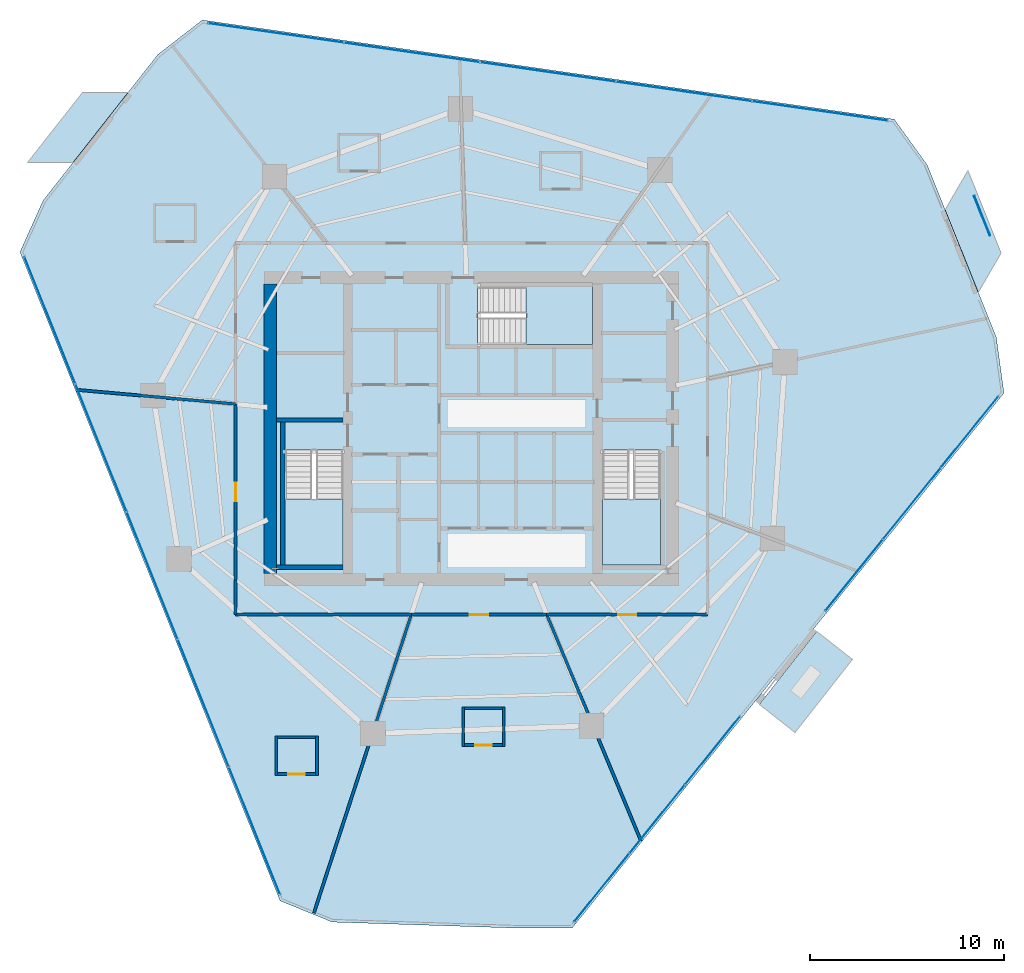
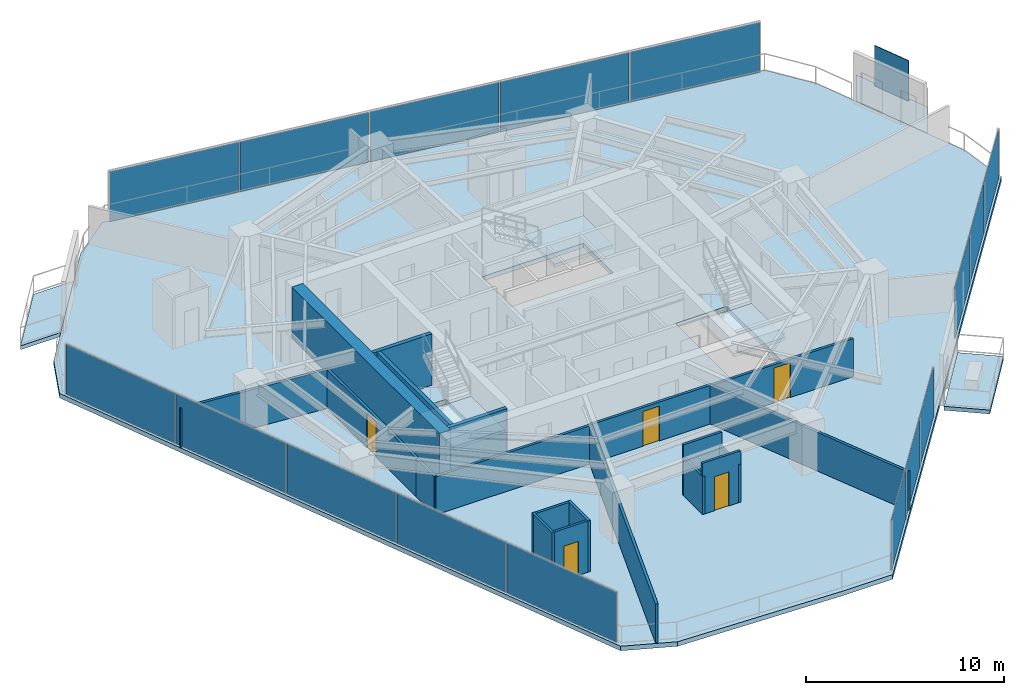
# One storey, part 25 of 32: 20 walls, 17 plates, 7 slabs, 5 doors, 5 openings, 7 elements without a shape of their own.
"""IFC4 building model written with IfcOpenShell, lengths in metres."""

from ifc_helpers import new_model, si_unit, direction, frame, frame_2d, origin, origin_2d, place, context, subcontext, project, spatial, polyline, rectangle, outline, extrude, material, layer, layer_set, type_object, element, fill, aggregate, save


model = new_model("IFC4")

# Units and contexts
model_context = context("Model", 3, precision=1e-05, world=origin(), true_north=direction((0.0, 1.0)))
body_context = subcontext(model_context, "Body", "Model", "MODEL_VIEW")
ifc_project = project(units=[si_unit("LENGTHUNIT", "METRE"), si_unit("AREAUNIT", "SQUARE_METRE"), si_unit("VOLUMEUNIT", "CUBIC_METRE"), si_unit("PLANEANGLEUNIT", "RADIAN"), si_unit("MASSUNIT", "GRAM", prefix="KILO")], contexts=[model_context])

# Site, building, storey
site_placement = place(None, origin())
site = spatial("IfcSite", under=ifc_project, at=site_placement, CompositionType="ELEMENT")
building_placement = place(site_placement, origin())
building = spatial("IfcBuilding", under=site, at=building_placement, Name="Qarnah Convention Tower", CompositionType="ELEMENT")
storey_placement = place(building_placement, frame((0.0, 0.0, 37.35009765625)))
storey = spatial("IfcBuildingStorey", under=building, at=storey_placement, Name="L08", CompositionType="ELEMENT", Elevation=37.35009765625)

# Curtain wall, plates
ifc_material_1 = material(Name="Tempered Low-E dark glass", Category="glass")
ifc_layer_1 = layer(ifc_material_1, 0.16796875)
ifc_layer_set_1 = layer_set([ifc_layer_1], Name="Tempered Low-E dark glass")
curtain_wall_type = type_object("IfcCurtainWallType", Name="CWS-01", PredefinedType="NOTDEFINED", material=ifc_layer_set_1)
curtain_wall_1_placement = place(storey_placement, origin())
curtain_wall_1 = element("IfcCurtainWall", 1, at=curtain_wall_1_placement, inside=storey, type_object=curtain_wall_type, Name="L08 unitised curtain wall CW-L08-F1", PredefinedType="NOTDEFINED")
ifc_layer_2 = layer(ifc_material_1, 0.028076171875)
ifc_layer_set_2 = layer_set([ifc_layer_2], Name="Tempered Low-E dark glass")
plate_type_1 = type_object("IfcPlateType", Name="PNL-T1", PredefinedType="CURTAIN_PANEL", material=ifc_layer_set_2)
plate_1_placement = place(storey_placement, frame((25.9765625, 5.62841796875, 0.0400390625), z_axis=(0.0, 0.0, 1.0), x_axis=(-0.372016711815, 0.92822603181, 0.0)))
plate_1 = element("IfcPlate", 2, at=plate_1_placement, type_object=plate_type_1, Name="CW-L08-F1 curtain panel 1.1", PredefinedType="CURTAIN_PANEL", context=body_context, shape_type="SweptSolid", body=[
    extrude(rectangle(XDim=7.0244140625, YDim=0.028076171875, at=origin_2d()), origin(), (0.0, 0.0, 1.0), 3.090087890625),
])
plate_2_placement = place(storey_placement, frame((23.33349609375, 12.222900390625, 0.0400390625), z_axis=(0.0, 0.0, 1.0), x_axis=(-0.372016711815, 0.92822603181, 0.0)))
plate_2 = element("IfcPlate", 3, at=plate_2_placement, type_object=plate_type_1, Name="CW-L08-F1 curtain panel 2.1", PredefinedType="CURTAIN_PANEL", context=body_context, shape_type="SweptSolid", body=[
    extrude(rectangle(XDim=7.0244140625, YDim=0.028076171875, at=origin_2d()), origin(), (0.0, 0.0, 1.0), 3.090087890625),
])
plate_3_placement = place(storey_placement, frame((20.6904296875, 18.8173828125, 0.0400390625), z_axis=(0.0, 0.0, 1.0), x_axis=(-0.372016711815, 0.92822603181, 0.0)))
plate_3 = element("IfcPlate", 4, at=plate_3_placement, type_object=plate_type_1, Name="CW-L08-F1 curtain panel 3.1", PredefinedType="CURTAIN_PANEL", context=body_context, shape_type="SweptSolid", body=[
    extrude(rectangle(XDim=7.0244140625, YDim=0.028076171875, at=origin_2d()), origin(), (0.0, 0.0, 1.0), 3.090087890625),
])
plate_4_placement = place(storey_placement, frame((18.047607421875, 25.412109375, 0.0400390625), z_axis=(0.0, 0.0, 1.0), x_axis=(-0.372016711815, 0.92822603181, 0.0)))
plate_4 = element("IfcPlate", 5, at=plate_4_placement, type_object=plate_type_1, Name="CW-L08-F1 curtain panel 4.1", PredefinedType="CURTAIN_PANEL", context=body_context, shape_type="SweptSolid", body=[
    extrude(rectangle(XDim=7.0244140625, YDim=0.028076171875, at=origin_2d()), origin(), (0.0, 0.0, 1.0), 3.090087890625),
])
plate_5_placement = place(storey_placement, frame((15.404541015625, 32.006591796875, 0.0400390625), z_axis=(0.0, 0.0, 1.0), x_axis=(-0.372016711815, 0.92822603181, 0.0)))
plate_5 = element("IfcPlate", 6, at=plate_5_placement, type_object=plate_type_1, Name="CW-L08-F1 curtain panel 5.1", PredefinedType="CURTAIN_PANEL", context=body_context, shape_type="SweptSolid", body=[
    extrude(rectangle(XDim=7.0244140625, YDim=0.028076171875, at=origin_2d()), origin(), (0.0, 0.0, 1.0), 3.090087890625),
])
aggregate(curtain_wall_1, [plate_1, plate_2, plate_3, plate_4, plate_5])

curtain_wall_2_placement = place(storey_placement, origin())
curtain_wall_2 = element("IfcCurtainWall", 7, at=curtain_wall_2_placement, inside=storey, type_object=curtain_wall_type, Name="L08 unitised curtain wall CW-L08-F2", PredefinedType="NOTDEFINED")
plate_6_placement = place(storey_placement, frame((27.0771484375, 46.86083984375, 0.0400390625), z_axis=(0.0, 0.0, 1.0), x_axis=(0.989875035809, -0.141941584753, 0.0)))
plate_6 = element("IfcPlate", 8, at=plate_6_placement, type_object=plate_type_1, Name="CW-L08-F2 curtain panel 1.1", PredefinedType="CURTAIN_PANEL", context=body_context, shape_type="SweptSolid", body=[
    extrude(rectangle(XDim=7.0244140625, YDim=0.028076171875, at=origin_2d()), origin(), (0.0, 0.0, 1.0), 3.090087890625),
])
plate_7_placement = place(storey_placement, frame((34.109619140625, 45.852294921875, 0.0400390625), z_axis=(0.0, 0.0, 1.0), x_axis=(0.989875035809, -0.141941584753, 0.0)))
plate_7 = element("IfcPlate", 9, at=plate_7_placement, type_object=plate_type_1, Name="CW-L08-F2 curtain panel 2.1", PredefinedType="CURTAIN_PANEL", context=body_context, shape_type="SweptSolid", body=[
    extrude(rectangle(XDim=7.0244140625, YDim=0.028076171875, at=origin_2d()), origin(), (0.0, 0.0, 1.0), 3.090087890625),
])
plate_8_placement = place(storey_placement, frame((41.14208984375, 44.843994140625, 0.0400390625), z_axis=(0.0, 0.0, 1.0), x_axis=(0.989875035809, -0.141941584753, 0.0)))
plate_8 = element("IfcPlate", 10, at=plate_8_placement, type_object=plate_type_1, Name="CW-L08-F2 curtain panel 3.1", PredefinedType="CURTAIN_PANEL", context=body_context, shape_type="SweptSolid", body=[
    extrude(rectangle(XDim=7.0244140625, YDim=0.028076171875, at=origin_2d()), origin(), (0.0, 0.0, 1.0), 3.090087890625),
])
plate_9_placement = place(storey_placement, frame((48.17431640625, 43.835693359375, 0.0400390625), z_axis=(0.0, 0.0, 1.0), x_axis=(0.989875035809, -0.141941584753, 0.0)))
plate_9 = element("IfcPlate", 11, at=plate_9_placement, type_object=plate_type_1, Name="CW-L08-F2 curtain panel 4.1", PredefinedType="CURTAIN_PANEL", context=body_context, shape_type="SweptSolid", body=[
    extrude(rectangle(XDim=7.0244140625, YDim=0.028076171875, at=origin_2d()), origin(), (0.0, 0.0, 1.0), 3.090087890625),
])
plate_10_placement = place(storey_placement, frame((55.206787109375, 42.8271484375, 0.0400390625), z_axis=(0.0, 0.0, 1.0), x_axis=(0.989875035809, -0.141941584753, 0.0)))
plate_10 = element("IfcPlate", 12, at=plate_10_placement, type_object=plate_type_1, Name="CW-L08-F2 curtain panel 5.1", PredefinedType="CURTAIN_PANEL", context=body_context, shape_type="SweptSolid", body=[
    extrude(rectangle(XDim=7.0244140625, YDim=0.028076171875, at=origin_2d()), origin(), (0.0, 0.0, 1.0), 3.090087890625),
])
aggregate(curtain_wall_2, [plate_6, plate_7, plate_8, plate_9, plate_10])

curtain_wall_3_placement = place(storey_placement, origin())
curtain_wall_3 = element("IfcCurtainWall", 13, at=curtain_wall_3_placement, inside=storey, type_object=curtain_wall_type, Name="L08 unitised curtain wall CW-L08-F3", PredefinedType="NOTDEFINED")
plate_11_placement = place(storey_placement, frame((62.93359375, 26.23828125, 0.0400390625), z_axis=(0.0, 0.0, 1.0), x_axis=(-0.628142905709, -0.778097995119, 0.0)))
plate_11 = element("IfcPlate", 14, at=plate_11_placement, type_object=plate_type_1, Name="CW-L08-F3 curtain panel 1.1", PredefinedType="CURTAIN_PANEL", context=body_context, shape_type="SweptSolid", body=[
    extrude(rectangle(XDim=4.6748046875, YDim=0.028076171875, at=origin_2d()), origin(), (0.0, 0.0, 1.0), 3.090087890625),
])
plate_12_placement = place(storey_placement, frame((59.947021484375, 22.53857421875, 0.0400390625), z_axis=(0.0, 0.0, 1.0), x_axis=(-0.628142905709, -0.778097995119, 0.0)))
plate_12 = element("IfcPlate", 15, at=plate_12_placement, type_object=plate_type_1, Name="CW-L08-F3 curtain panel 2.1", PredefinedType="CURTAIN_PANEL", context=body_context, shape_type="SweptSolid", body=[
    extrude(rectangle(XDim=4.6748046875, YDim=0.028076171875, at=origin_2d()), origin(), (0.0, 0.0, 1.0), 3.090087890625),
])
plate_13_placement = place(storey_placement, frame((56.96044921875, 18.8388671875, 0.0400390625), z_axis=(0.0, 0.0, 1.0), x_axis=(-0.628142905709, -0.778097995119, 0.0)))
plate_13 = element("IfcPlate", 16, at=plate_13_placement, type_object=plate_type_1, Name="CW-L08-F3 curtain panel 3.1", PredefinedType="CURTAIN_PANEL", context=body_context, shape_type="SweptSolid", body=[
    extrude(rectangle(XDim=4.6748046875, YDim=0.028076171875, at=origin_2d()), origin(), (0.0, 0.0, 1.0), 3.090087890625),
])
aggregate(curtain_wall_3, [plate_11, plate_12, plate_13])

curtain_wall_4_placement = place(storey_placement, origin())
curtain_wall_4 = element("IfcCurtainWall", 17, at=curtain_wall_4_placement, inside=storey, type_object=curtain_wall_type, Name="L08 unitised curtain wall CW-L08-F4", PredefinedType="NOTDEFINED")
plate_14_placement = place(storey_placement, frame((49.646728515625, 9.77978515625, 0.0400390625), z_axis=(0.0, 0.0, 1.0), x_axis=(-0.62812100032, -0.77811567839, 0.0)))
plate_14 = element("IfcPlate", 18, at=plate_14_placement, type_object=plate_type_1, Name="CW-L08-F4 curtain panel 1.1", PredefinedType="CURTAIN_PANEL", context=body_context, shape_type="SweptSolid", body=[
    extrude(rectangle(XDim=4.480224609375, YDim=0.028076171875, at=origin_2d()), origin(), (0.0, 0.0, 1.0), 3.090087890625),
])
plate_15_placement = place(storey_placement, frame((46.782470703125, 6.2314453125, 0.0400390625), z_axis=(0.0, 0.0, 1.0), x_axis=(-0.62812100032, -0.77811567839, 0.0)))
plate_15 = element("IfcPlate", 19, at=plate_15_placement, type_object=plate_type_1, Name="CW-L08-F4 curtain panel 2.1", PredefinedType="CURTAIN_PANEL", context=body_context, shape_type="SweptSolid", body=[
    extrude(rectangle(XDim=4.480224609375, YDim=0.028076171875, at=origin_2d()), origin(), (0.0, 0.0, 1.0), 3.090087890625),
])
plate_16_placement = place(storey_placement, frame((43.918212890625, 2.68310546875, 0.0400390625), z_axis=(0.0, 0.0, 1.0), x_axis=(-0.62812100032, -0.77811567839, 0.0)))
plate_16 = element("IfcPlate", 20, at=plate_16_placement, type_object=plate_type_1, Name="CW-L08-F4 curtain panel 3.1", PredefinedType="CURTAIN_PANEL", context=body_context, shape_type="SweptSolid", body=[
    extrude(rectangle(XDim=4.480224609375, YDim=0.028076171875, at=origin_2d()), origin(), (0.0, 0.0, 1.0), 3.090087890625),
])
aggregate(curtain_wall_4, [plate_14, plate_15, plate_16])

# Plate
ifc_material_2 = material(Name="Black anodised aluminium", Category="aluminium")
ifc_layer_3 = layer(ifc_material_2, 0.044921875)
ifc_layer_set_3 = layer_set([ifc_layer_3], Name="Black anodised aluminium")
plate_type_2 = type_object("IfcPlateType", Name="SCR-BAL-18", PredefinedType="USERDEFINED", material=ifc_layer_set_3)
plate_17_placement = place(storey_placement, frame((63.5810546875, 37.405029296875, 0.0), z_axis=(0.0, 0.0, 1.0), x_axis=(0.371952767163, -0.928251657149, 0.0)))
element("IfcPlate", 21, at=plate_17_placement, inside=storey, type_object=plate_type_2, Name="L08 perforated desert solar screen BAL-L08-C1", ObjectType="SCREEN", PredefinedType="USERDEFINED", context=body_context, shape_type="SweptSolid", body=[
    extrude(rectangle(XDim=2.199951171875, YDim=0.044921875, at=origin_2d()), origin(), (0.0, 0.0, 1.0), 2.5),
])

# Slabs
ifc_material_3 = material(Name="Concrete C45/55", Category="concrete")
ifc_layer_4 = layer(ifc_material_3, 0.239990234375)
ifc_layer_set_4 = layer_set([ifc_layer_4], Name="Concrete C45/55")
slab_type_1 = type_object("IfcSlabType", Name="SLB-BAL-240", PredefinedType="USERDEFINED", material=ifc_layer_set_4)
slab_1_placement = place(storey_placement, frame((0.0, 0.0, -0.239990234375)))
element("IfcSlab", 22, at=slab_1_placement, inside=storey, type_object=slab_type_1, Name="L08 cantilevered balcony slab BAL-L08-C1", ObjectType="BALCONY", PredefinedType="USERDEFINED", context=body_context, shape_type="SweptSolid", body=[
    extrude(outline(polyline([(62.845947265625, 39.748046875), (64.556884765625, 35.47802734375), (63.3779296875, 33.448974609375), (61.6669921875, 37.718994140625), (62.845947265625, 39.748046875)])), origin(), (0.0, 0.0, 1.0), 0.239990234375),
])
slab_2_placement = place(storey_placement, frame((0.0, 0.0, -0.239990234375)))
element("IfcSlab", 23, at=slab_2_placement, inside=storey, type_object=slab_type_1, Name="L08 cantilevered balcony slab BAL-L08-C2", ObjectType="BALCONY", PredefinedType="USERDEFINED", context=body_context, shape_type="SweptSolid", body=[
    extrude(outline(polyline([(14.2509765625, 40.162109375), (17.093017578125, 43.779052734375), (19.43994140625, 43.77294921875), (16.597900390625, 40.156005859375), (14.2509765625, 40.162109375)])), origin(), (0.0, 0.0, 1.0), 0.239990234375),
])
slab_3_placement = place(storey_placement, frame((0.0, 0.0, -0.239990234375)))
element("IfcSlab", 24, at=slab_3_placement, inside=storey, type_object=slab_type_1, Name="L08 cantilevered balcony slab VN-L08", ObjectType="BALCONY", PredefinedType="USERDEFINED", context=body_context, shape_type="SweptSolid", body=[
    extrude(outline(polyline([(55.029052734375, 15.93505859375), (56.876953125, 14.48291015625), (53.910888671875, 10.708984375), (52.06396484375, 12.160888671875), (55.029052734375, 15.93505859375)])), origin(), (0.0, 0.0, 1.0), 0.239990234375),
])

# Stair, slab
ifc_material_4 = material(Name="Concrete C50/60", Category="concrete")
stair_type = type_object("IfcStairType", Name="STR-HTL", PredefinedType="HALF_TURN_STAIR", material=ifc_material_4)
stair_1_placement = place(storey_placement, origin())
stair_1 = element("IfcStair", 25, at=stair_1_placement, inside=storey, type_object=stair_type, Name="L08 Core exit stair ST-1", PredefinedType="HALF_TURN_STAIR")
ifc_layer_5 = layer(ifc_material_4, 0.199951171875)
ifc_layer_set_5 = layer_set([ifc_layer_5], Name="Concrete C50/60")
slab_type_2 = type_object("IfcSlabType", Name="SLB-LANDING-200", PredefinedType="LANDING", material=ifc_layer_set_5)
slab_4_placement = place(storey_placement, frame((0.0, 0.0, 1.52490234375)))
slab_4 = element("IfcSlab", 26, at=slab_4_placement, type_object=slab_type_2, Name="ST-1 landing 1", PredefinedType="LANDING", context=body_context, shape_type="SweptSolid", body=[
    extrude(outline(polyline([(27.550048828125, 22.780029296875), (27.550048828125, 19.35009765625), (30.550048828125, 19.35009765625), (30.550048828125, 22.780029296875), (27.550048828125, 22.780029296875)])), origin(), (0.0, 0.0, 1.0), 0.199951171875),
])
aggregate(stair_1, [slab_4])

stair_2_placement = place(storey_placement, origin())
stair_2 = element("IfcStair", 27, at=stair_2_placement, inside=storey, type_object=stair_type, Name="L08 Core exit stair ST-2", PredefinedType="HALF_TURN_STAIR")
slab_5_placement = place(storey_placement, frame((0.0, 0.0, 1.52490234375)))
slab_5 = element("IfcSlab", 28, at=slab_5_placement, type_object=slab_type_2, Name="ST-2 landing 1", PredefinedType="LANDING", context=body_context, shape_type="SweptSolid", body=[
    extrude(outline(polyline([(43.949951171875, 22.780029296875), (43.949951171875, 19.35009765625), (46.949951171875, 19.35009765625), (46.949951171875, 22.780029296875), (43.949951171875, 22.780029296875)])), origin(), (0.0, 0.0, 1.0), 0.199951171875),
])
aggregate(stair_2, [slab_5])

stair_3_placement = place(storey_placement, origin())
stair_3 = element("IfcStair", 29, at=stair_3_placement, inside=storey, type_object=stair_type, Name="L08 Core exit stair ST-3", PredefinedType="HALF_TURN_STAIR")
slab_6_placement = place(storey_placement, frame((0.0, 0.0, 1.52490234375)))
slab_6 = element("IfcSlab", 30, at=slab_6_placement, type_object=slab_type_2, Name="ST-3 landing 1", PredefinedType="LANDING", context=body_context, shape_type="SweptSolid", body=[
    extrude(outline(polyline([(40.02001953125, 30.75), (43.449951171875, 30.75), (43.449951171875, 33.75), (40.02001953125, 33.75), (40.02001953125, 30.75)])), origin(), (0.0, 0.0, 1.0), 0.199951171875),
])
aggregate(stair_3, [slab_6])

# Slab
ifc_layer_6 = layer(ifc_material_3, 0.280029296875)
ifc_layer_set_6 = layer_set([ifc_layer_6], Name="Concrete C45/55")
slab_type_3 = type_object("IfcSlabType", Name="SLB-TWR-280", PredefinedType="FLOOR", material=ifc_layer_set_6)
slab_7_placement = place(storey_placement, frame((0.0, 0.0, -0.280029296875)))
element("IfcSlab", 31, at=slab_7_placement, inside=storey, type_object=slab_type_3, Name="L08 structural floor slab", PredefinedType="FLOOR", context=body_context, shape_type="SweptSolid", body=[
    extrude(outline(polyline([(59.037109375, 42.39892578125), (23.281005859375, 47.52587890625), (20.97998046875, 45.739013671875), (15.052001953125, 38.195068359375), (13.860107421875, 35.5380859375), (27.298095703125, 2.008056640625), (29.9951171875, 0.909912109375), (39.492919921875, 0.60009765625), (42.39111328125, 0.60009765625), (64.708984375, 28.24609375), (64.31103515625, 31.132080078125), (60.741943359375, 40.0380859375), (59.037109375, 42.39892578125)]), holes=[polyline([(27.550048828125, 25.300048828125), (27.550048828125, 19.35009765625), (30.550048828125, 19.35009765625), (30.550048828125, 25.300048828125), (27.550048828125, 25.300048828125)]), polyline([(43.949951171875, 25.300048828125), (43.949951171875, 19.35009765625), (46.949951171875, 19.35009765625), (46.949951171875, 25.300048828125), (43.949951171875, 25.300048828125)]), polyline([(37.5, 30.75), (43.449951171875, 30.75), (43.449951171875, 33.75), (37.5, 33.75), (37.5, 30.75)])]), origin(), (0.0, 0.0, 1.0), 0.280029296875),
])

# Walls
ifc_material_5 = material(Name="Concrete C60/75", Category="concrete")
ifc_layer_7 = layer(ifc_material_5, 0.64990234375)
ifc_layer_set_7 = layer_set([ifc_layer_7], Name="Concrete C60/75")
wall_type_1 = type_object("IfcWallType", Name="WL-CORE-650", PredefinedType="SHEAR", material=ifc_layer_set_7)
wall_1_placement = place(storey_placement, frame((26.800048828125, 18.925048828125, 0.0), z_axis=(0.0, 0.0, 1.0), x_axis=(0.0, 1.0, 0.0)))
element("IfcWall", 32, at=wall_1_placement, inside=storey, type_object=wall_type_1, Name="L08 core west shear wall", PredefinedType="SHEAR", context=body_context, shape_type="SweptSolid", body=[
    extrude(rectangle(XDim=14.949951171875, YDim=0.64990234375, at=frame_2d((7.47509765625, 0.0))), origin(), (0.0, 0.0, 1.0), 3.169921875),
])
ifc_layer_8 = layer(ifc_material_5, 0.219970703125)
ifc_layer_set_8 = layer_set([ifc_layer_8], Name="Concrete C60/75")
wall_type_2 = type_object("IfcWallType", Name="WL-CORE-STAIR-220", PredefinedType="SHEAR", material=ifc_layer_set_8)
wall_2_placement = place(storey_placement, frame((27.125, 26.860107421875, 0.0), z_axis=(0.0, 0.0, 1.0), x_axis=(1.0, 0.0, 0.0)))
element("IfcWall", 33, at=wall_2_placement, inside=storey, type_object=wall_type_2, Name="L08 stair shaft shear wall SW-L08-ST1N", PredefinedType="SHEAR", context=body_context, shape_type="SweptSolid", body=[
    extrude(rectangle(XDim=3.425048828125, YDim=0.219970703125, at=frame_2d((1.71240234375, 0.0))), origin(), (0.0, 0.0, 1.0), 3.169921875),
])
wall_3_placement = place(storey_placement, frame((27.43994140625, 19.35009765625, 0.0), z_axis=(0.0, 0.0, 1.0), x_axis=(0.0, 1.0, 0.0)))
element("IfcWall", 34, at=wall_3_placement, inside=storey, type_object=wall_type_2, Name="L08 stair shaft shear wall SW-L08-ST1W", PredefinedType="SHEAR", context=body_context, shape_type="SweptSolid", body=[
    extrude(rectangle(XDim=7.39990234375, YDim=0.219970703125, at=frame_2d((3.699951171875, 0.0))), origin(), (0.0, 0.0, 1.0), 3.169921875),
])
wall_4_placement = place(storey_placement, frame((27.125, 19.239990234375, 0.0), z_axis=(0.0, 0.0, 1.0), x_axis=(1.0, 0.0, 0.0)))
element("IfcWall", 35, at=wall_4_placement, inside=storey, type_object=wall_type_2, Name="L08 stair shaft shear wall SW-L08-ST1S", PredefinedType="SHEAR", context=body_context, shape_type="SweptSolid", body=[
    extrude(rectangle(XDim=3.425048828125, YDim=0.219970703125, at=frame_2d((1.71240234375, 0.0))), origin(), (0.0, 0.0, 1.0), 3.169921875),
])
ifc_material_6 = material(Name="Gypsum partition board")
ifc_layer_9 = layer(ifc_material_6, 0.14990234375)
ifc_layer_set_9 = layer_set([ifc_layer_9], Name="Gypsum partition board")
wall_type_3 = type_object("IfcWallType", Name="WL-SUITE-150", PredefinedType="PARTITIONING", material=ifc_layer_set_9)
wall_5_placement = place(storey_placement, frame((16.7919921875, 28.4140625, 0.0), z_axis=(0.0, 0.0, 1.0), x_axis=(0.996045012521, -0.088850059267, 0.0)))
element("IfcWall", 36, at=wall_5_placement, inside=storey, type_object=wall_type_3, Name="L08 interior wall IW-L08-R-30", PredefinedType="PARTITIONING", context=body_context, shape_type="SweptSolid", body=[
    extrude(rectangle(XDim=8.240478515625, YDim=0.14990234375, at=frame_2d((4.1201171875, 0.0))), origin(), (0.0, 0.0, 1.0), 2.39501953125),
])
wall_6_placement = place(storey_placement, frame((29.049072265625, 1.381103515625, 0.0), z_axis=(0.0, 0.0, 1.0), x_axis=(0.310247156609, 0.950655932405, 0.0)))
element("IfcWall", 37, at=wall_6_placement, inside=storey, type_object=wall_type_3, Name="L08 interior wall IW-L08-R-34", PredefinedType="PARTITIONING", context=body_context, shape_type="SweptSolid", body=[
    extrude(rectangle(XDim=16.21923828125, YDim=0.14990234375, at=frame_2d((8.109619140625, 0.0))), origin(), (0.0, 0.0, 1.0), 2.39501953125),
])
wall_7_placement = place(storey_placement, frame((34.0810546875, 16.800048828125, 0.0), z_axis=(0.0, 0.0, 1.0), x_axis=(-1.0, 0.0, 0.0)))
element("IfcWall", 38, at=wall_7_placement, inside=storey, type_object=wall_type_3, Name="L08 interior wall IW-L08-R-35", PredefinedType="PARTITIONING", context=body_context, shape_type="SweptSolid", body=[
    extrude(rectangle(XDim=9.0810546875, YDim=0.14990234375, at=frame_2d((4.54052734375, 0.0))), origin(), (0.0, 0.0, 1.0), 2.35498046875),
])
wall_8_placement = place(storey_placement, frame((25.0, 16.800048828125, 0.0), z_axis=(0.0, 0.0, 1.0), x_axis=(0.0, 1.0, 0.0)))
element("IfcWall", 39, at=wall_8_placement, inside=storey, type_object=wall_type_3, Name="L08 interior wall IW-L08-R-36", PredefinedType="PARTITIONING", context=body_context, shape_type="SweptSolid", body=[
    extrude(rectangle(XDim=1.800048828125, YDim=0.14990234375, at=frame_2d((0.89990234375, 0.0))), origin(), (0.0, 0.0, 1.0), 2.35498046875),
])

# Wall, opening, door
wall_9_placement = place(storey_placement, frame((25.0, 18.60009765625, 0.0), z_axis=(0.0, 0.0, 1.0), x_axis=(0.0, 1.0, 0.0)))
wall_9 = element("IfcWall", 40, at=wall_9_placement, inside=storey, type_object=wall_type_3, Name="L08 interior wall IW-L08-R-37", PredefinedType="PARTITIONING", context=body_context, shape_type="SweptSolid", body=[
    extrude(rectangle(XDim=9.081787109375, YDim=0.14990234375, at=frame_2d((4.541015625, 0.0))), origin(), (0.0, 0.0, 1.0), 2.39501953125),
])
opening_1_placement = place(wall_9_placement, frame((4.06591796875, 0.0, 0.0)))
opening_1 = element("IfcOpeningElement", 41, at=opening_1_placement, cuts=wall_9, Name="Opening D-0823", PredefinedType="OPENING", context=body_context, shape_type="SweptSolid", body=[
    extrude(rectangle(XDim=0.949951171875, YDim=2.14990234375, at=frame_2d((0.47509765625, 1.074951171875))), frame((0.0, 0.0849609375, 0.0), z_axis=(0.0, -1.0, 0.0), x_axis=(1.0, 0.0, 0.0)), (0.0, 0.0, 1.0), 0.169921875),
])
ifc_material_7 = material(Name="Oak timber veneer", Category="wood")
door_type_1 = type_object("IfcDoorType", Name="DT-HOTEL-950", OperationType="NOTDEFINED", PredefinedType="DOOR", material=ifc_material_7)
door_1_placement = place(opening_1_placement, origin())
door_1 = element("IfcDoor", 42, at=door_1_placement, inside=storey, type_object=door_type_1, Name="Door D-0823", OperationType="SINGLE_SWING_LEFT", OverallHeight=2.14990234375, OverallWidth=0.949951171875, PredefinedType="DOOR", context=body_context, shape_type="SweptSolid", body=[
    extrude(rectangle(XDim=0.949951171875, YDim=2.14990234375, at=frame_2d((0.47509765625, 1.074951171875))), frame((0.0, 0.02490234375, 0.0), z_axis=(0.0, -1.0, 0.0), x_axis=(1.0, 0.0, 0.0)), (0.0, 0.0, 1.0), 0.050048828125),
])
fill(opening_1, door_1)

# Wall
wall_10_placement = place(storey_placement, frame((45.946044921875, 5.114990234375, 0.0), z_axis=(0.0, 0.0, 1.0), x_axis=(-0.384492125133, 0.923128271537, 0.0)))
element("IfcWall", 43, at=wall_10_placement, inside=storey, type_object=wall_type_3, Name="L08 interior wall IW-L08-R-38", PredefinedType="PARTITIONING", context=body_context, shape_type="SweptSolid", body=[
    extrude(rectangle(XDim=12.658203125, YDim=0.14990234375, at=frame_2d((6.3291015625, 0.0))), origin(), (0.0, 0.0, 1.0), 2.39501953125),
])

# Wall, opening, door
wall_11_placement = place(storey_placement, frame((41.0791015625, 16.800048828125, 0.0), z_axis=(0.0, 0.0, 1.0), x_axis=(-1.0, 0.0, 0.0)))
wall_11 = element("IfcWall", 44, at=wall_11_placement, inside=storey, type_object=wall_type_3, Name="L08 interior wall IW-L08-R-39", PredefinedType="PARTITIONING", context=body_context, shape_type="SweptSolid", body=[
    extrude(rectangle(XDim=6.998046875, YDim=0.14990234375, at=frame_2d((3.4990234375, 0.0))), origin(), (0.0, 0.0, 1.0), 2.39501953125),
])
opening_2_placement = place(wall_11_placement, frame((3.02392578125, 0.0, 0.0)))
opening_2 = element("IfcOpeningElement", 45, at=opening_2_placement, cuts=wall_11, Name="Opening D-0825", PredefinedType="OPENING", context=body_context, shape_type="SweptSolid", body=[
    extrude(rectangle(XDim=0.949951171875, YDim=2.14990234375, at=frame_2d((0.47509765625, 1.074951171875))), frame((0.0, 0.0849609375, 0.0), z_axis=(0.0, -1.0, 0.0), x_axis=(1.0, 0.0, 0.0)), (0.0, 0.0, 1.0), 0.169921875),
])
door_2_placement = place(opening_2_placement, origin())
door_2 = element("IfcDoor", 46, at=door_2_placement, inside=storey, type_object=door_type_1, Name="Door D-0825", OperationType="SINGLE_SWING_LEFT", OverallHeight=2.14990234375, OverallWidth=0.949951171875, PredefinedType="DOOR", context=body_context, shape_type="SweptSolid", body=[
    extrude(rectangle(XDim=0.949951171875, YDim=2.14990234375, at=frame_2d((0.47509765625, 1.074951171875))), frame((0.0, 0.02490234375, 0.0), z_axis=(0.0, -1.0, 0.0), x_axis=(1.0, 0.0, 0.0)), (0.0, 0.0, 1.0), 0.050048828125),
])
fill(opening_2, door_2)

wall_12_placement = place(storey_placement, frame((49.39990234375, 16.800048828125, 0.0), z_axis=(0.0, 0.0, 1.0), x_axis=(-1.0, 0.0, 0.0)))
wall_12 = element("IfcWall", 47, at=wall_12_placement, inside=storey, type_object=wall_type_3, Name="L08 interior wall IW-L08-R-43", PredefinedType="PARTITIONING", context=body_context, shape_type="SweptSolid", body=[
    extrude(rectangle(XDim=8.32080078125, YDim=0.14990234375, at=frame_2d((4.160400390625, 0.0))), origin(), (0.0, 0.0, 1.0), 2.35498046875),
])
opening_3_placement = place(wall_12_placement, frame((3.68505859375, 0.0, 0.0)))
opening_3 = element("IfcOpeningElement", 48, at=opening_3_placement, cuts=wall_12, Name="Opening D-0827", PredefinedType="OPENING", context=body_context, shape_type="SweptSolid", body=[
    extrude(rectangle(XDim=0.949951171875, YDim=2.14990234375, at=frame_2d((0.47509765625, 1.074951171875))), frame((0.0, 0.0849609375, 0.0), z_axis=(0.0, -1.0, 0.0), x_axis=(1.0, 0.0, 0.0)), (0.0, 0.0, 1.0), 0.169921875),
])
door_3_placement = place(opening_3_placement, origin())
door_3 = element("IfcDoor", 49, at=door_3_placement, inside=storey, type_object=door_type_1, Name="Door D-0827", OperationType="SINGLE_SWING_LEFT", OverallHeight=2.14990234375, OverallWidth=0.949951171875, PredefinedType="DOOR", context=body_context, shape_type="SweptSolid", body=[
    extrude(rectangle(XDim=0.949951171875, YDim=2.14990234375, at=frame_2d((0.47509765625, 1.074951171875))), frame((0.0, 0.02490234375, 0.0), z_axis=(0.0, -1.0, 0.0), x_axis=(1.0, 0.0, 0.0)), (0.0, 0.0, 1.0), 0.050048828125),
])
fill(opening_3, door_3)

ifc_layer_10 = layer(ifc_material_6, 0.139892578125)
ifc_layer_set_10 = layer_set([ifc_layer_10], Name="Gypsum partition board")
wall_type_4 = type_object("IfcWallType", Name="WL-WET-140", PredefinedType="PARTITIONING", material=ifc_layer_set_10)
wall_13_placement = place(storey_placement, frame((27.032958984375, 8.56103515625, 0.0), z_axis=(0.0, 0.0, 1.0), x_axis=(1.0, 0.0, 0.0)))
wall_13 = element("IfcWall", 50, at=wall_13_placement, inside=storey, type_object=wall_type_4, Name="L08 interior wall IW-L08-ENS04-1", PredefinedType="PARTITIONING", context=body_context, shape_type="SweptSolid", body=[
    extrude(rectangle(XDim=2.239990234375, YDim=0.139892578125, at=frame_2d((1.1201171875, 0.0))), origin(), (0.0, 0.0, 1.0), 3.169921875),
])
opening_4_placement = place(wall_13_placement, frame((0.695068359375, 0.0, 0.0)))
opening_4 = element("IfcOpeningElement", 51, at=opening_4_placement, cuts=wall_13, Name="Opening D-0824", PredefinedType="OPENING", context=body_context, shape_type="SweptSolid", body=[
    extrude(rectangle(XDim=0.85009765625, YDim=2.10009765625, at=frame_2d((0.425048828125, 1.050048828125))), frame((0.0, 0.079833984375, 0.0), z_axis=(0.0, -1.0, 0.0), x_axis=(1.0, 0.0, 0.0)), (0.0, 0.0, 1.0), 0.159912109375),
])
door_type_2 = type_object("IfcDoorType", Name="DT-BATH-850", OperationType="NOTDEFINED", PredefinedType="DOOR", material=ifc_material_7)
door_4_placement = place(opening_4_placement, origin())
door_4 = element("IfcDoor", 52, at=door_4_placement, inside=storey, type_object=door_type_2, Name="Door D-0824", OperationType="SINGLE_SWING_RIGHT", OverallHeight=2.10009765625, OverallWidth=0.85009765625, PredefinedType="DOOR", context=body_context, shape_type="SweptSolid", body=[
    extrude(rectangle(XDim=0.85009765625, YDim=2.10009765625, at=frame_2d((0.425048828125, 1.050048828125))), frame((0.0, 0.02490234375, 0.0), z_axis=(0.0, -1.0, 0.0), x_axis=(1.0, 0.0, 0.0)), (0.0, 0.0, 1.0), 0.050048828125),
])
fill(opening_4, door_4)

# Walls
wall_14_placement = place(storey_placement, frame((29.202880859375, 8.490966796875, 0.0), z_axis=(0.0, 0.0, 1.0), x_axis=(0.0, 1.0, 0.0)))
element("IfcWall", 53, at=wall_14_placement, inside=storey, type_object=wall_type_4, Name="L08 interior wall IW-L08-ENS04-2", PredefinedType="PARTITIONING", context=body_context, shape_type="SweptSolid", body=[
    extrude(rectangle(XDim=2.0400390625, YDim=0.139892578125, at=frame_2d((1.02001953125, 0.0))), origin(), (0.0, 0.0, 1.0), 3.169921875),
])
wall_15_placement = place(storey_placement, frame((29.27294921875, 10.4609375, 0.0), z_axis=(0.0, 0.0, 1.0), x_axis=(-1.0, 0.0, 0.0)))
element("IfcWall", 54, at=wall_15_placement, inside=storey, type_object=wall_type_4, Name="L08 interior wall IW-L08-ENS04-3", PredefinedType="PARTITIONING", context=body_context, shape_type="SweptSolid", body=[
    extrude(rectangle(XDim=2.239990234375, YDim=0.139892578125, at=frame_2d((1.1201171875, 0.0))), origin(), (0.0, 0.0, 1.0), 3.169921875),
])
wall_16_placement = place(storey_placement, frame((27.10302734375, 10.531005859375, 0.0), z_axis=(0.0, 0.0, 1.0), x_axis=(0.0, -1.0, 0.0)))
element("IfcWall", 55, at=wall_16_placement, inside=storey, type_object=wall_type_4, Name="L08 interior wall IW-L08-ENS04-4", PredefinedType="PARTITIONING", context=body_context, shape_type="SweptSolid", body=[
    extrude(rectangle(XDim=2.0400390625, YDim=0.139892578125, at=frame_2d((1.02001953125, 0.0))), origin(), (0.0, 0.0, 1.0), 3.169921875),
])

# Wall, opening, door
wall_17_placement = place(storey_placement, frame((36.68896484375, 10.05908203125, 0.0), z_axis=(0.0, 0.0, 1.0), x_axis=(1.0, 0.0, 0.0)))
wall_17 = element("IfcWall", 56, at=wall_17_placement, inside=storey, type_object=wall_type_4, Name="L08 interior wall IW-L08-ENS05-1", PredefinedType="PARTITIONING", context=body_context, shape_type="SweptSolid", body=[
    extrude(rectangle(XDim=2.239990234375, YDim=0.139892578125, at=frame_2d((1.1201171875, 0.0))), origin(), (0.0, 0.0, 1.0), 3.169921875),
])
opening_5_placement = place(wall_17_placement, frame((0.695068359375, 0.0, 0.0)))
opening_5 = element("IfcOpeningElement", 57, at=opening_5_placement, cuts=wall_17, Name="Opening D-0826", PredefinedType="OPENING", context=body_context, shape_type="SweptSolid", body=[
    extrude(rectangle(XDim=0.85009765625, YDim=2.10009765625, at=frame_2d((0.425048828125, 1.050048828125))), frame((0.0, 0.079833984375, 0.0), z_axis=(0.0, -1.0, 0.0), x_axis=(1.0, 0.0, 0.0)), (0.0, 0.0, 1.0), 0.159912109375),
])
door_5_placement = place(opening_5_placement, origin())
door_5 = element("IfcDoor", 58, at=door_5_placement, inside=storey, type_object=door_type_2, Name="Door D-0826", OperationType="SINGLE_SWING_RIGHT", OverallHeight=2.10009765625, OverallWidth=0.85009765625, PredefinedType="DOOR", context=body_context, shape_type="SweptSolid", body=[
    extrude(rectangle(XDim=0.85009765625, YDim=2.10009765625, at=frame_2d((0.425048828125, 1.050048828125))), frame((0.0, 0.02490234375, 0.0), z_axis=(0.0, -1.0, 0.0), x_axis=(1.0, 0.0, 0.0)), (0.0, 0.0, 1.0), 0.050048828125),
])
fill(opening_5, door_5)

# Walls
wall_18_placement = place(storey_placement, frame((38.85888671875, 9.989013671875, 0.0), z_axis=(0.0, 0.0, 1.0), x_axis=(0.0, 1.0, 0.0)))
element("IfcWall", 59, at=wall_18_placement, inside=storey, type_object=wall_type_4, Name="L08 interior wall IW-L08-ENS05-2", PredefinedType="PARTITIONING", context=body_context, shape_type="SweptSolid", body=[
    extrude(rectangle(XDim=2.0400390625, YDim=0.139892578125, at=frame_2d((1.02001953125, 0.0))), origin(), (0.0, 0.0, 1.0), 2.35498046875),
])
wall_19_placement = place(storey_placement, frame((38.928955078125, 11.958984375, 0.0), z_axis=(0.0, 0.0, 1.0), x_axis=(-1.0, 0.0, 0.0)))
element("IfcWall", 60, at=wall_19_placement, inside=storey, type_object=wall_type_4, Name="L08 interior wall IW-L08-ENS05-3", PredefinedType="PARTITIONING", context=body_context, shape_type="SweptSolid", body=[
    extrude(rectangle(XDim=2.239990234375, YDim=0.139892578125, at=frame_2d((1.1201171875, 0.0))), origin(), (0.0, 0.0, 1.0), 3.169921875),
])
wall_20_placement = place(storey_placement, frame((36.759033203125, 12.029052734375, 0.0), z_axis=(0.0, 0.0, 1.0), x_axis=(0.0, -1.0, 0.0)))
element("IfcWall", 61, at=wall_20_placement, inside=storey, type_object=wall_type_4, Name="L08 interior wall IW-L08-ENS05-4", PredefinedType="PARTITIONING", context=body_context, shape_type="SweptSolid", body=[
    extrude(rectangle(XDim=2.0400390625, YDim=0.139892578125, at=frame_2d((1.02001953125, 0.0))), origin(), (0.0, 0.0, 1.0), 2.35498046875),
])

save(model, "model.ifc")
